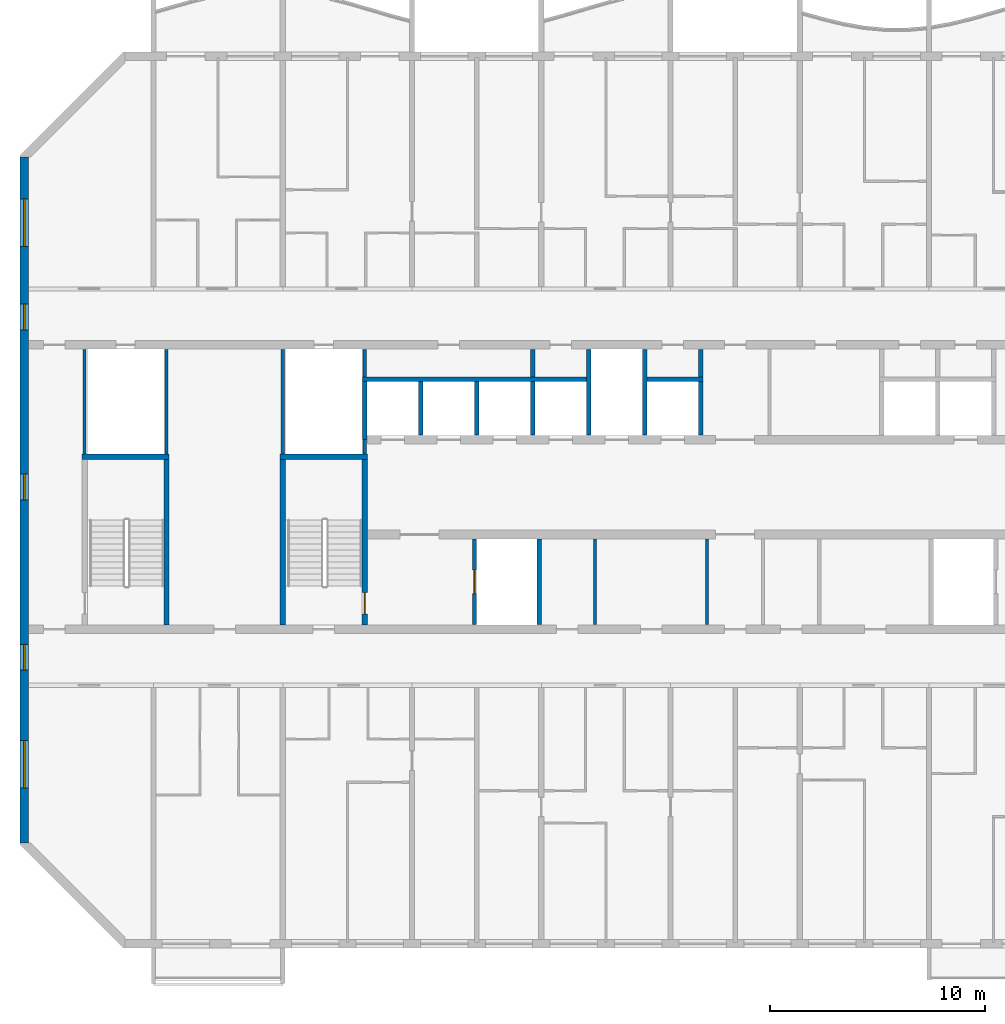
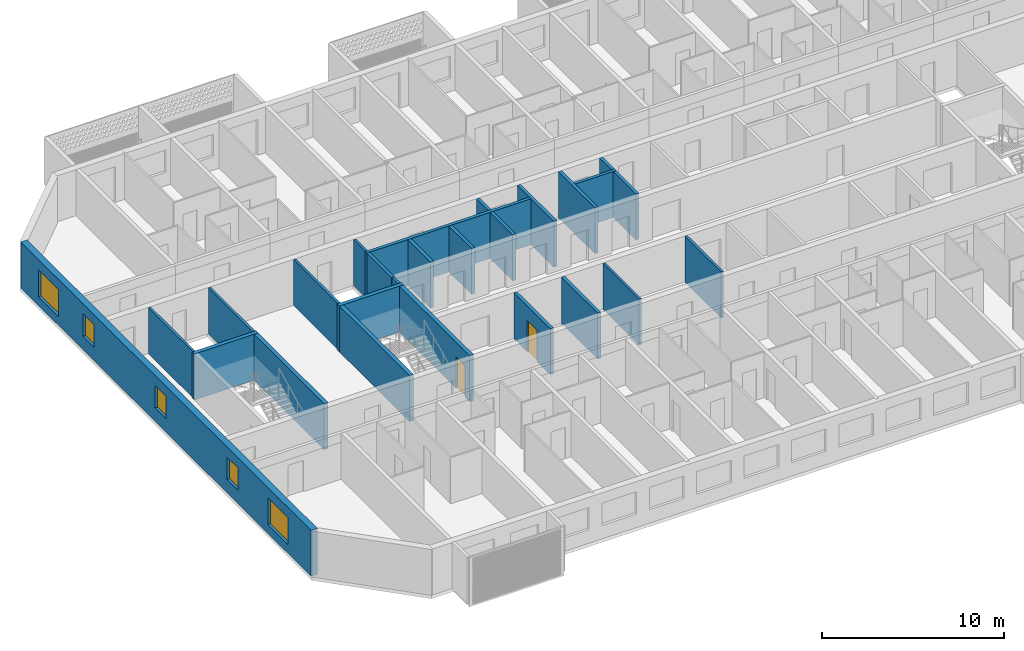
# One storey, part 3 of 28: 26 walls, 5 windows, 2 doors, 7 openings.
"""IFC4 building model written with IfcOpenShell, lengths in metres."""

from ifc_helpers import new_model, si_unit, direction, frame, frame_2d, origin, place, context, subcontext, project, spatial, rectangle, extrude, material, layer, layer_set, type_object, element, fill, save


model = new_model("IFC4")

# Units and contexts
model_context = context("Model", 3, precision=1e-05, world=origin(), true_north=direction((0.0, 1.0)))
body_context = subcontext(model_context, "Body", "Model", "MODEL_VIEW")
ifc_project = project(units=[si_unit("LENGTHUNIT", "METRE"), si_unit("AREAUNIT", "SQUARE_METRE"), si_unit("VOLUMEUNIT", "CUBIC_METRE"), si_unit("PLANEANGLEUNIT", "RADIAN"), si_unit("MASSUNIT", "GRAM", prefix="KILO")], contexts=[model_context])

# Site, building, storey
site_placement = place(None, origin())
site = spatial("IfcSite", under=ifc_project, at=site_placement, CompositionType="ELEMENT")
building_placement = place(site_placement, origin())
building = spatial("IfcBuilding", under=site, at=building_placement, Name="Poui Terraces", CompositionType="ELEMENT")
storey_placement = place(building_placement, frame((0.0, 0.0, 181.800048828125)))
storey = spatial("IfcBuildingStorey", under=building, at=storey_placement, Name="L50", CompositionType="ELEMENT", Elevation=181.800048828125)

# Wall
ifc_material_1 = material(Name="Fire-rated plasterboard wall")
ifc_layer_1 = layer(ifc_material_1, 0.14990234375)
ifc_layer_set_1 = layer_set([ifc_layer_1], Name="Fire-rated plasterboard wall")
wall_type_1 = type_object("IfcWallType", Name="CORRIDOR WALL 150", PredefinedType="PARTITIONING", material=ifc_layer_set_1)
wall_1_placement = place(storey_placement, frame((49.699951171875, 14.81005859375, 0.0), z_axis=(0.0, 0.0, 1.0), x_axis=(0.0, 1.0, 0.0)))
element("IfcWall", 1, at=wall_1_placement, inside=storey, type_object=wall_type_1, Name="CORRIDOR WALL 150", PredefinedType="PARTITIONING", context=body_context, shape_type="SweptSolid", body=[
    extrude(rectangle(XDim=3.97998046875, YDim=0.14990234375, at=frame_2d((1.989990234375, 0.0))), origin(), (0.0, 0.0, 1.0), 3.079833984375),
])

# Wall, openings, windows
ifc_material_2 = material(Name="Concrete 50 MPa", Category="concrete")
ifc_layer_2 = layer(ifc_material_2, 0.39990234375)
ifc_layer_set_2 = layer_set([ifc_layer_2], Name="Concrete 50 MPa")
wall_type_2 = type_object("IfcWallType", Name="END WALL 400 50MPa", PredefinedType="SHEAR", material=ifc_layer_set_2)
wall_2_placement = place(storey_placement, frame((18.0, 4.682861328125, 0.0), z_axis=(0.0, 0.0, 1.0), x_axis=(0.0, 1.0, 0.0)))
wall_2 = element("IfcWall", 2, at=wall_2_placement, inside=storey, type_object=wall_type_2, Name="END WALL WEST", PredefinedType="SHEAR", context=body_context, shape_type="SweptSolid", body=[
    extrude(rectangle(XDim=31.834228515625, YDim=0.39990234375, at=frame_2d((15.9169921875, 0.0))), origin(), (0.0, 0.0, 1.0), 3.079833984375),
])
opening_1_placement = place(wall_2_placement, frame((23.817138671875, 0.0, 0.89990234375)))
opening_1 = element("IfcOpeningElement", 3, at=opening_1_placement, cuts=wall_2, Name="Opening W2", PredefinedType="OPENING", context=body_context, shape_type="SweptSolid", body=[
    extrude(rectangle(XDim=1.199951171875, YDim=1.5, at=frame_2d((0.60009765625, 0.75))), frame((0.0, 0.2099609375, 0.0), z_axis=(0.0, -1.0, 0.0), x_axis=(1.0, 0.0, 0.0)), (0.0, 0.0, 1.0), 0.419921875),
])
opening_2_placement = place(wall_2_placement, frame((8.01708984375, 0.0, 0.89990234375)))
opening_2 = element("IfcOpeningElement", 4, at=opening_2_placement, cuts=wall_2, Name="Opening W2", PredefinedType="OPENING", context=body_context, shape_type="SweptSolid", body=[
    extrude(rectangle(XDim=1.199951171875, YDim=1.5, at=frame_2d((0.60009765625, 0.75))), frame((0.0, 0.2099609375, 0.0), z_axis=(0.0, -1.0, 0.0), x_axis=(1.0, 0.0, 0.0)), (0.0, 0.0, 1.0), 0.419921875),
])
opening_3_placement = place(wall_2_placement, frame((27.693603515625, 0.0, 0.60009765625)))
opening_3 = element("IfcOpeningElement", 5, at=opening_3_placement, cuts=wall_2, Name="Opening W3", PredefinedType="OPENING", context=body_context, shape_type="SweptSolid", body=[
    extrude(rectangle(XDim=2.199951171875, YDim=1.800048828125, at=frame_2d((1.10009765625, 0.89990234375))), frame((0.0, 0.2099609375, 0.0), z_axis=(0.0, -1.0, 0.0), x_axis=(1.0, 0.0, 0.0)), (0.0, 0.0, 1.0), 0.419921875),
])
opening_4_placement = place(wall_2_placement, frame((2.541015625, 0.0, 0.60009765625)))
opening_4 = element("IfcOpeningElement", 6, at=opening_4_placement, cuts=wall_2, Name="Opening W3", PredefinedType="OPENING", context=body_context, shape_type="SweptSolid", body=[
    extrude(rectangle(XDim=2.199951171875, YDim=1.800048828125, at=frame_2d((1.10009765625, 0.89990234375))), frame((0.0, 0.2099609375, 0.0), z_axis=(0.0, -1.0, 0.0), x_axis=(1.0, 0.0, 0.0)), (0.0, 0.0, 1.0), 0.419921875),
])
opening_5_placement = place(wall_2_placement, frame((15.917236328125, 0.0, 0.89990234375)))
opening_5 = element("IfcOpeningElement", 7, at=opening_5_placement, cuts=wall_2, Name="Opening W2", PredefinedType="OPENING", context=body_context, shape_type="SweptSolid", body=[
    extrude(rectangle(XDim=1.199951171875, YDim=1.5, at=frame_2d((0.60009765625, 0.75))), frame((0.0, 0.2099609375, 0.0), z_axis=(0.0, -1.0, 0.0), x_axis=(1.0, 0.0, 0.0)), (0.0, 0.0, 1.0), 0.419921875),
])
ifc_material_3 = material(Name="Clear glass in aluminium frame", Category="aluminium")
window_type_1 = type_object("IfcWindowType", Name="WINDOW 1200X1500", PartitioningType="SINGLE_PANEL", PredefinedType="WINDOW", material=ifc_material_3)
window_1_placement = place(opening_1_placement, origin())
window_1 = element("IfcWindow", 8, at=window_1_placement, inside=storey, type_object=window_type_1, Name="W2 WINDOW", OverallHeight=1.5, OverallWidth=1.199951171875, PartitioningType="SINGLE_PANEL", PredefinedType="WINDOW", context=body_context, shape_type="SweptSolid", body=[
    extrude(rectangle(XDim=1.199951171875, YDim=1.5, at=frame_2d((0.60009765625, 0.75))), frame((0.0, 0.030029296875, 0.0), z_axis=(0.0, -1.0, 0.0), x_axis=(1.0, 0.0, 0.0)), (0.0, 0.0, 1.0), 0.06005859375),
])
fill(opening_1, window_1)
window_2_placement = place(opening_2_placement, origin())
window_2 = element("IfcWindow", 9, at=window_2_placement, inside=storey, type_object=window_type_1, Name="W2 WINDOW", OverallHeight=1.5, OverallWidth=1.199951171875, PartitioningType="SINGLE_PANEL", PredefinedType="WINDOW", context=body_context, shape_type="SweptSolid", body=[
    extrude(rectangle(XDim=1.199951171875, YDim=1.5, at=frame_2d((0.60009765625, 0.75))), frame((0.0, 0.030029296875, 0.0), z_axis=(0.0, -1.0, 0.0), x_axis=(1.0, 0.0, 0.0)), (0.0, 0.0, 1.0), 0.06005859375),
])
fill(opening_2, window_2)
window_3_placement = place(opening_5_placement, origin())
window_3 = element("IfcWindow", 10, at=window_3_placement, inside=storey, type_object=window_type_1, Name="W2 WINDOW", OverallHeight=1.5, OverallWidth=1.199951171875, PartitioningType="SINGLE_PANEL", PredefinedType="WINDOW", context=body_context, shape_type="SweptSolid", body=[
    extrude(rectangle(XDim=1.199951171875, YDim=1.5, at=frame_2d((0.60009765625, 0.75))), frame((0.0, 0.030029296875, 0.0), z_axis=(0.0, -1.0, 0.0), x_axis=(1.0, 0.0, 0.0)), (0.0, 0.0, 1.0), 0.06005859375),
])
fill(opening_5, window_3)
window_type_2 = type_object("IfcWindowType", Name="WINDOW 2200X1800", PartitioningType="DOUBLE_PANEL_HORIZONTAL", PredefinedType="WINDOW", material=ifc_material_3)
window_4_placement = place(opening_3_placement, origin())
window_4 = element("IfcWindow", 11, at=window_4_placement, inside=storey, type_object=window_type_2, Name="W3 WINDOW", OverallHeight=1.800048828125, OverallWidth=2.199951171875, PartitioningType="DOUBLE_PANEL_HORIZONTAL", PredefinedType="WINDOW", context=body_context, shape_type="SweptSolid", body=[
    extrude(rectangle(XDim=2.199951171875, YDim=1.800048828125, at=frame_2d((1.10009765625, 0.89990234375))), frame((0.0, 0.030029296875, 0.0), z_axis=(0.0, -1.0, 0.0), x_axis=(1.0, 0.0, 0.0)), (0.0, 0.0, 1.0), 0.06005859375),
])
fill(opening_3, window_4)
window_5_placement = place(opening_4_placement, origin())
window_5 = element("IfcWindow", 12, at=window_5_placement, inside=storey, type_object=window_type_2, Name="W3 WINDOW", OverallHeight=1.800048828125, OverallWidth=2.199951171875, PartitioningType="DOUBLE_PANEL_HORIZONTAL", PredefinedType="WINDOW", context=body_context, shape_type="SweptSolid", body=[
    extrude(rectangle(XDim=2.199951171875, YDim=1.800048828125, at=frame_2d((1.10009765625, 0.89990234375))), frame((0.0, 0.030029296875, 0.0), z_axis=(0.0, -1.0, 0.0), x_axis=(1.0, 0.0, 0.0)), (0.0, 0.0, 1.0), 0.06005859375),
])
fill(opening_4, window_5)

# Walls
ifc_material_4 = material(Name="Plasterboard partition")
ifc_layer_3 = layer(ifc_material_4, 0.14990234375)
ifc_layer_set_3 = layer_set([ifc_layer_3], Name="Plasterboard partition")
wall_type_3 = type_object("IfcWallType", Name="PARTITION WALL 150", PredefinedType="PARTITIONING", material=ifc_layer_set_3)
wall_3_placement = place(storey_placement, frame((44.5, 14.81005859375, 0.0), z_axis=(0.0, 0.0, 1.0), x_axis=(0.0, 1.0, 0.0)))
element("IfcWall", 13, at=wall_3_placement, inside=storey, type_object=wall_type_3, Name="PARTITION WALL 150", PredefinedType="PARTITIONING", context=body_context, shape_type="SweptSolid", body=[
    extrude(rectangle(XDim=3.97998046875, YDim=0.14990234375, at=frame_2d((1.989990234375, 0.0))), origin(), (0.0, 0.0, 1.0), 3.079833984375),
])
ifc_material_5 = material(Name="Fire-rated masonry wall", Category="masonry")
ifc_layer_4 = layer(ifc_material_5, 0.199951171875)
ifc_layer_set_4 = layer_set([ifc_layer_4], Name="Fire-rated masonry wall")
wall_type_4 = type_object("IfcWallType", Name="PLANT ROOM WALL 200", PredefinedType="PARTITIONING", material=ifc_layer_set_4)
for number, where, z_axis, x_axis, name in (
    (14, (41.60009765625, 26.300048828125, 0.0), (0.0, 0.0, 1.0), (0.0, 1.0, 0.0), "PLANT ROOM WALL 200"),
    (15, (49.39990234375, 26.300048828125, 0.0), (0.0, 0.0, 1.0), (0.0, 1.0, 0.0), "PLANT ROOM WALL 200"),
):
    element("IfcWall", number, at=place(storey_placement, frame(where, z_axis=z_axis, x_axis=x_axis)), inside=storey, type_object=wall_type_4, Name=name, PredefinedType="PARTITIONING", context=body_context, shape_type="SweptSolid", body=[
        extrude(rectangle(XDim=1.2900390625, YDim=0.199951171875, at=frame_2d((0.64501953125, 0.0))), origin(), (0.0, 0.0, 1.0), 3.079833984375),
    ])
ifc_material_6 = material(Name="Fire-rated plasterboard riser wall")
ifc_layer_5 = layer(ifc_material_6, 0.14990234375)
ifc_layer_set_5 = layer_set([ifc_layer_5], Name="Fire-rated plasterboard riser wall")
wall_type_5 = type_object("IfcWallType", Name="RISER WALL 150", PredefinedType="PARTITIONING", material=ifc_layer_set_5)
for number, where, z_axis, x_axis, name in (
    (16, (20.800048828125, 22.735107421875, 0.0), (0.0, 0.0, 1.0), (0.0, 1.0, 0.0), "RISER WALL 150"),
    (17, (24.60009765625, 22.735107421875, 0.0), (0.0, 0.0, 1.0), (0.0, 1.0, 0.0), "RISER WALL 150"),
    (18, (30.0, 22.735107421875, 0.0), (0.0, 0.0, 1.0), (0.0, 1.0, 0.0), "RISER WALL 150"),
):
    element("IfcWall", number, at=place(storey_placement, frame(where, z_axis=z_axis, x_axis=x_axis)), inside=storey, type_object=wall_type_5, Name=name, PredefinedType="PARTITIONING", context=body_context, shape_type="SweptSolid", body=[
        extrude(rectangle(XDim=4.85498046875, YDim=0.14990234375, at=frame_2d((2.427490234375, 0.0))), origin(), (0.0, 0.0, 1.0), 3.079833984375),
    ])
wall_4_placement = place(storey_placement, frame((33.800048828125, 22.735107421875, 0.0), z_axis=(0.0, 0.0, 1.0), x_axis=(0.0, 1.0, 0.0)))
element("IfcWall", 19, at=wall_4_placement, inside=storey, type_object=wall_type_5, Name="RISER WALL 150", PredefinedType="PARTITIONING", context=body_context, shape_type="SweptSolid", body=[
    extrude(rectangle(XDim=0.664794921875, YDim=0.14990234375, at=frame_2d((0.33251953125, 0.0))), origin(), (0.0, 0.0, 1.0), 3.079833984375),
])
wall_5_placement = place(storey_placement, frame((33.800048828125, 26.300048828125, 0.0), z_axis=(0.0, 0.0, 1.0), x_axis=(0.0, 1.0, 0.0)))
element("IfcWall", 20, at=wall_5_placement, inside=storey, type_object=wall_type_5, Name="RISER WALL 150", PredefinedType="PARTITIONING", context=body_context, shape_type="SweptSolid", body=[
    extrude(rectangle(XDim=1.2900390625, YDim=0.14990234375, at=frame_2d((0.64501953125, 0.0))), origin(), (0.0, 0.0, 1.0), 3.079833984375),
])
ifc_material_7 = material(Name="Fire-rated masonry shaft wall", Category="masonry")
ifc_layer_6 = layer(ifc_material_7, 0.199951171875)
ifc_layer_set_6 = layer_set([ifc_layer_6], Name="Fire-rated masonry shaft wall")
wall_type_6 = type_object("IfcWallType", Name="SHAFT WALL 200", PredefinedType="PARTITIONING", material=ifc_layer_set_6)
wall_6_placement = place(storey_placement, frame((33.699951171875, 26.199951171875, 0.0), z_axis=(0.0, 0.0, 1.0), x_axis=(1.0, 0.0, 0.0)))
element("IfcWall", 21, at=wall_6_placement, inside=storey, type_object=wall_type_6, Name="SHAFT WALL 200", PredefinedType="PARTITIONING", context=body_context, shape_type="SweptSolid", body=[
    extrude(rectangle(XDim=10.400146484375, YDim=0.199951171875, at=frame_2d((5.2001953125, 0.0))), origin(), (0.0, 0.0, 1.0), 3.079833984375),
])
wall_7_placement = place(storey_placement, frame((46.89990234375, 26.199951171875, 0.0), z_axis=(0.0, 0.0, 1.0), x_axis=(1.0, 0.0, 0.0)))
element("IfcWall", 22, at=wall_7_placement, inside=storey, type_object=wall_type_6, Name="SHAFT WALL 200", PredefinedType="PARTITIONING", context=body_context, shape_type="SweptSolid", body=[
    extrude(rectangle(XDim=2.60009765625, YDim=0.199951171875, at=frame_2d((1.300048828125, 0.0))), origin(), (0.0, 0.0, 1.0), 3.079833984375),
])
wall_8_placement = place(storey_placement, frame((33.800048828125, 23.39990234375, 0.0), z_axis=(0.0, 0.0, 1.0), x_axis=(0.0, 1.0, 0.0)))
element("IfcWall", 23, at=wall_8_placement, inside=storey, type_object=wall_type_6, Name="SHAFT WALL 200", PredefinedType="PARTITIONING", context=body_context, shape_type="SweptSolid", body=[
    extrude(rectangle(XDim=2.7001953125, YDim=0.199951171875, at=frame_2d((1.35009765625, 0.0))), origin(), (0.0, 0.0, 1.0), 3.079833984375),
])
wall_9_placement = place(storey_placement, frame((36.39990234375, 23.610107421875, 0.0), z_axis=(0.0, 0.0, 1.0), x_axis=(0.0, 1.0, 0.0)))
element("IfcWall", 24, at=wall_9_placement, inside=storey, type_object=wall_type_6, Name="SHAFT WALL 200", PredefinedType="PARTITIONING", context=body_context, shape_type="SweptSolid", body=[
    extrude(rectangle(XDim=2.489990234375, YDim=0.199951171875, at=frame_2d((1.2451171875, 0.0))), origin(), (0.0, 0.0, 1.0), 3.079833984375),
])

# Wall, opening, door
wall_10_placement = place(storey_placement, frame((38.89990234375, 14.81005859375, 0.0), z_axis=(0.0, 0.0, 1.0), x_axis=(0.0, 1.0, 0.0)))
wall_10 = element("IfcWall", 25, at=wall_10_placement, inside=storey, type_object=wall_type_6, Name="SHAFT WALL 200", PredefinedType="PARTITIONING", context=body_context, shape_type="SweptSolid", body=[
    extrude(rectangle(XDim=3.97998046875, YDim=0.199951171875, at=frame_2d((1.989990234375, 0.0))), origin(), (0.0, 0.0, 1.0), 3.079833984375),
])
opening_6_placement = place(wall_10_placement, frame((1.43994140625, 0.0, 0.0)))
opening_6 = element("IfcOpeningElement", 26, at=opening_6_placement, cuts=wall_10, Name="Opening LD", PredefinedType="OPENING", context=body_context, shape_type="SweptSolid", body=[
    extrude(rectangle(XDim=1.10009765625, YDim=2.10009765625, at=frame_2d((0.550048828125, 1.050048828125))), frame((0.0, 0.10986328125, 0.0), z_axis=(0.0, -1.0, 0.0), x_axis=(1.0, 0.0, 0.0)), (0.0, 0.0, 1.0), 0.219970703125),
])
ifc_material_8 = material(Name="Stainless steel sliding door", Category="steel")
door_type_1 = type_object("IfcDoorType", Name="LIFT LANDING DOOR 1100 X 2100", OperationType="DOUBLE_DOOR_SLIDING", PredefinedType="DOOR", material=ifc_material_8)
door_1_placement = place(opening_6_placement, origin())
door_1 = element("IfcDoor", 27, at=door_1_placement, inside=storey, type_object=door_type_1, Name="LANDING DOOR", OperationType="DOUBLE_DOOR_SLIDING", OverallHeight=2.10009765625, OverallWidth=1.10009765625, PredefinedType="DOOR", context=body_context, shape_type="SweptSolid", body=[
    extrude(rectangle(XDim=1.10009765625, YDim=2.10009765625, at=frame_2d((0.550048828125, 1.050048828125))), frame((0.0, 0.02490234375, 0.0), z_axis=(0.0, -1.0, 0.0), x_axis=(1.0, 0.0, 0.0)), (0.0, 0.0, 1.0), 0.050048828125),
])
fill(opening_6, door_1)

# Walls
for number, where, z_axis, x_axis, name in (
    (28, (39.0, 23.610107421875, 0.0), (0.0, 0.0, 1.0), (0.0, 1.0, 0.0), "SHAFT WALL 200"),
    (29, (41.60009765625, 23.610107421875, 0.0), (0.0, 0.0, 1.0), (0.0, 1.0, 0.0), "SHAFT WALL 200"),
):
    element("IfcWall", number, at=place(storey_placement, frame(where, z_axis=z_axis, x_axis=x_axis)), inside=storey, type_object=wall_type_6, Name=name, PredefinedType="PARTITIONING", context=body_context, shape_type="SweptSolid", body=[
        extrude(rectangle(XDim=2.489990234375, YDim=0.199951171875, at=frame_2d((1.2451171875, 0.0))), origin(), (0.0, 0.0, 1.0), 3.079833984375),
    ])
for number, where, z_axis, x_axis, name in (
    (30, (41.89990234375, 14.81005859375, 0.0), (0.0, 0.0, 1.0), (0.0, 1.0, 0.0), "SHAFT WALL 200"),
    (31, (44.199951171875, 23.610107421875, 0.0), (0.0, 0.0, 1.0), (0.0, 1.0, 0.0), "SHAFT WALL 200"),
    (32, (46.800048828125, 23.610107421875, 0.0), (0.0, 0.0, 1.0), (0.0, 1.0, 0.0), "SHAFT WALL 200"),
):
    element("IfcWall", number, at=place(storey_placement, frame(where, z_axis=z_axis, x_axis=x_axis)), inside=storey, type_object=wall_type_6, Name=name, PredefinedType="PARTITIONING", context=body_context, shape_type="SweptSolid", body=[
        extrude(rectangle(XDim=3.97998046875, YDim=0.199951171875, at=frame_2d((1.989990234375, 0.0))), origin(), (0.0, 0.0, 1.0), 3.079833984375),
    ])
wall_11_placement = place(storey_placement, frame((49.39990234375, 23.610107421875, 0.0), z_axis=(0.0, 0.0, 1.0), x_axis=(0.0, 1.0, 0.0)))
element("IfcWall", 33, at=wall_11_placement, inside=storey, type_object=wall_type_6, Name="SHAFT WALL 200", PredefinedType="PARTITIONING", context=body_context, shape_type="SweptSolid", body=[
    extrude(rectangle(XDim=2.489990234375, YDim=0.199951171875, at=frame_2d((1.2451171875, 0.0))), origin(), (0.0, 0.0, 1.0), 3.079833984375),
])
ifc_layer_7 = layer(ifc_material_2, 0.25)
ifc_layer_set_7 = layer_set([ifc_layer_7], Name="Concrete 50 MPa")
wall_type_7 = type_object("IfcWallType", Name="STAIR CORE WALL 250 50 MPA", PredefinedType="SOLIDWALL", material=ifc_layer_set_7)
wall_12_placement = place(storey_placement, frame((30.0, 14.800048828125, 0.0), z_axis=(0.0, 0.0, 1.0), x_axis=(0.0, 1.0, 0.0)))
element("IfcWall", 34, at=wall_12_placement, inside=storey, type_object=wall_type_7, Name="STAIR CORE WALL", PredefinedType="SOLIDWALL", context=body_context, shape_type="SweptSolid", body=[
    extrude(rectangle(XDim=7.675048828125, YDim=0.25, at=frame_2d((3.83740234375, 0.0))), origin(), (0.0, 0.0, 1.0), 3.079833984375),
])

# Wall, opening, door
wall_13_placement = place(storey_placement, frame((33.800048828125, 14.800048828125, 0.0), z_axis=(0.0, 0.0, 1.0), x_axis=(0.0, 1.0, 0.0)))
wall_13 = element("IfcWall", 35, at=wall_13_placement, inside=storey, type_object=wall_type_7, Name="STAIR CORE WALL", PredefinedType="SOLIDWALL", context=body_context, shape_type="SweptSolid", body=[
    extrude(rectangle(XDim=7.675048828125, YDim=0.25, at=frame_2d((3.83740234375, 0.0))), origin(), (0.0, 0.0, 1.0), 3.079833984375),
])
opening_7_placement = place(wall_13_placement, frame((0.5, 0.0, 0.0)))
opening_7 = element("IfcOpeningElement", 36, at=opening_7_placement, cuts=wall_13, Name="Opening FD60S", PredefinedType="OPENING", context=body_context, shape_type="SweptSolid", body=[
    extrude(rectangle(XDim=1.0, YDim=2.10009765625, at=frame_2d((0.5, 1.050048828125))), frame((0.0, 0.135009765625, 0.0), z_axis=(0.0, -1.0, 0.0), x_axis=(1.0, 0.0, 0.0)), (0.0, 0.0, 1.0), 0.27001953125),
])
ifc_material_9 = material(Name="Steel fire door", Category="steel")
door_type_2 = type_object("IfcDoorType", Name="STAIR DOOR 1000 X 2100", OperationType="NOTDEFINED", PredefinedType="DOOR", material=ifc_material_9)
door_2_placement = place(opening_7_placement, origin())
door_2 = element("IfcDoor", 37, at=door_2_placement, inside=storey, type_object=door_type_2, Name="STAIR DOOR 104", OperationType="SINGLE_SWING_LEFT", OverallHeight=2.10009765625, OverallWidth=1.0, PredefinedType="DOOR", context=body_context, shape_type="SweptSolid", body=[
    extrude(rectangle(XDim=1.0, YDim=2.10009765625, at=frame_2d((0.5, 1.050048828125))), frame((0.0, 0.02490234375, 0.0), z_axis=(0.0, -1.0, 0.0), x_axis=(1.0, 0.0, 0.0)), (0.0, 0.0, 1.0), 0.050048828125),
])
fill(opening_7, door_2)

# Walls
wall_14_placement = place(storey_placement, frame((29.875, 22.60009765625, 0.0), z_axis=(0.0, 0.0, 1.0), x_axis=(1.0, 0.0, 0.0)))
element("IfcWall", 38, at=wall_14_placement, inside=storey, type_object=wall_type_7, Name="STAIR CORE WALL", PredefinedType="SOLIDWALL", context=body_context, shape_type="SweptSolid", body=[
    extrude(rectangle(XDim=4.050048828125, YDim=0.25, at=frame_2d((2.02490234375, 0.0))), origin(), (0.0, 0.0, 1.0), 3.079833984375),
])
wall_15_placement = place(storey_placement, frame((24.60009765625, 14.800048828125, 0.0), z_axis=(0.0, 0.0, 1.0), x_axis=(0.0, 1.0, 0.0)))
element("IfcWall", 39, at=wall_15_placement, inside=storey, type_object=wall_type_7, Name="STAIR CORE WALL", PredefinedType="SOLIDWALL", context=body_context, shape_type="SweptSolid", body=[
    extrude(rectangle(XDim=7.675048828125, YDim=0.25, at=frame_2d((3.83740234375, 0.0))), origin(), (0.0, 0.0, 1.0), 3.079833984375),
])
wall_16_placement = place(storey_placement, frame((20.675048828125, 22.60009765625, 0.0), z_axis=(0.0, 0.0, 1.0), x_axis=(1.0, 0.0, 0.0)))
element("IfcWall", 40, at=wall_16_placement, inside=storey, type_object=wall_type_7, Name="STAIR CORE WALL", PredefinedType="SOLIDWALL", context=body_context, shape_type="SweptSolid", body=[
    extrude(rectangle(XDim=4.050048828125, YDim=0.25, at=frame_2d((2.02490234375, 0.0))), origin(), (0.0, 0.0, 1.0), 3.079833984375),
])

save(model, "model.ifc")
